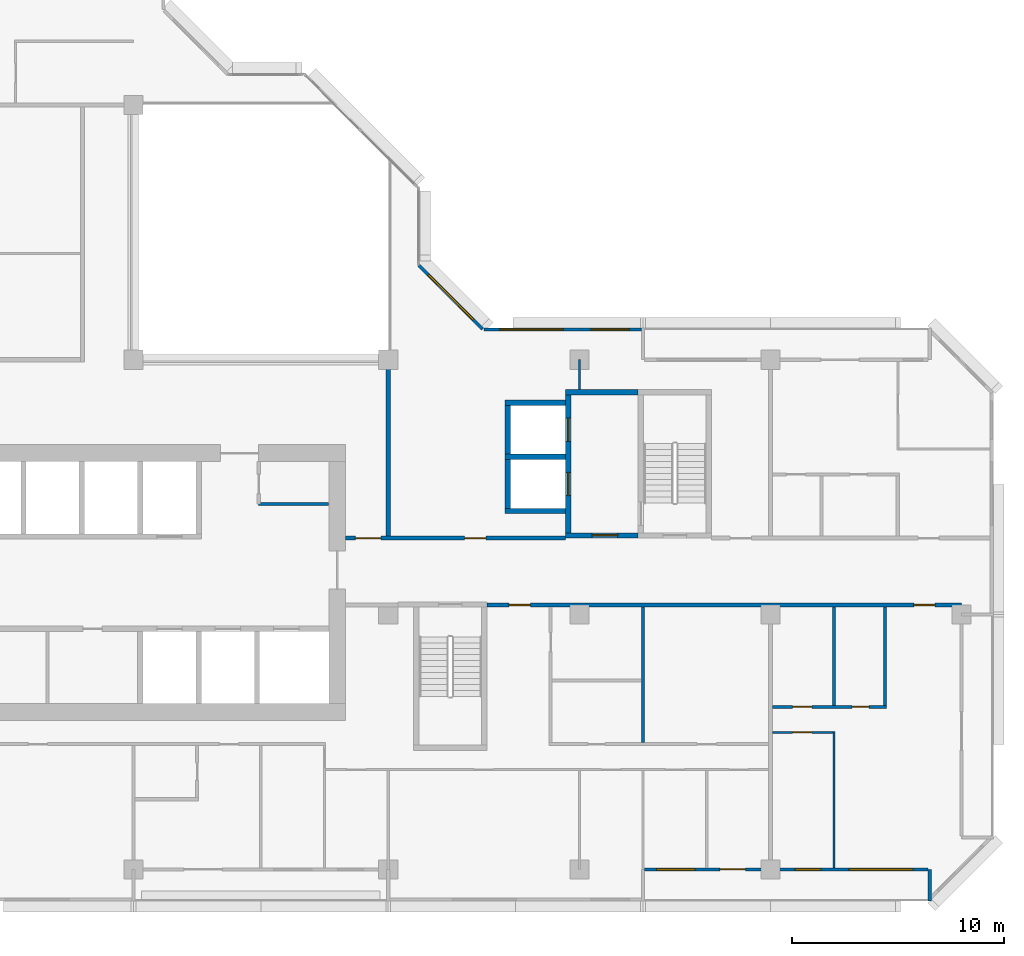
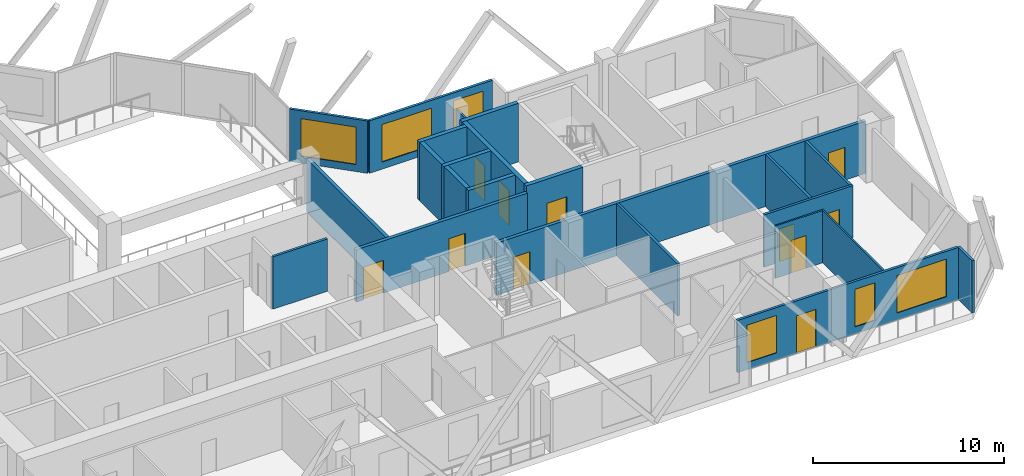
# One storey, part 7 of 14: 23 walls, 11 doors, 6 windows, 17 openings.
"""IFC4 building model written with IfcOpenShell, lengths in metres."""

from ifc_helpers import new_model, si_unit, direction, frame, frame_2d, origin, place, context, subcontext, project, spatial, rectangle, extrude, material, layer, layer_set, type_object, element, fill, save


model = new_model("IFC4")

# Units and contexts
model_context = context("Model", 3, precision=1e-05, world=origin(), true_north=direction((0.0, 1.0)))
body_context = subcontext(model_context, "Body", "Model", "MODEL_VIEW")
ifc_project = project(units=[si_unit("LENGTHUNIT", "METRE"), si_unit("AREAUNIT", "SQUARE_METRE"), si_unit("VOLUMEUNIT", "CUBIC_METRE"), si_unit("PLANEANGLEUNIT", "RADIAN"), si_unit("MASSUNIT", "GRAM", prefix="KILO")], contexts=[model_context])

# Site, building, storey
site_placement = place(None, origin())
site = spatial("IfcSite", under=ifc_project, at=site_placement, CompositionType="ELEMENT")
building_placement = place(site_placement, origin())
building = spatial("IfcBuilding", under=site, at=building_placement, Name="Chenar Terraces", CompositionType="ELEMENT")
storey_placement = place(building_placement, frame((0.0, 0.0, 157.39990234375)))
storey = spatial("IfcBuildingStorey", under=building, at=storey_placement, Name="L35", CompositionType="ELEMENT", Elevation=157.39990234375)

# Wall
ifc_material_1 = material(Name="Gypsum board on steel studs", Category="steel")
ifc_layer_1 = layer(ifc_material_1, 0.14990234375)
ifc_layer_set_1 = layer_set([ifc_layer_1], Name="Gypsum board on steel studs")
wall_type_1 = type_object("IfcWallType", Name="Core partition 150 gypsum board", PredefinedType="PARTITIONING", material=ifc_layer_set_1)
wall_1_placement = place(storey_placement, frame((29.89990234375, 17.199951171875, 0.0), z_axis=(0.0, 0.0, 1.0), x_axis=(1.0, 0.0, 0.0)))
element("IfcWall", 1, at=wall_1_placement, inside=storey, type_object=wall_type_1, Name="Core partition CP1 vestibule room south wall", PredefinedType="PARTITIONING", context=body_context, shape_type="SweptSolid", body=[
    extrude(rectangle(XDim=3.300048828125, YDim=0.14990234375, at=frame_2d((1.64990234375, 0.0))), origin(), (0.0, 0.0, 1.0), 3.35009765625),
])

# Wall, opening, door
ifc_material_2 = material(Name="Concrete C60/75", Category="concrete")
ifc_layer_2 = layer(ifc_material_2, 0.25)
ifc_layer_set_2 = layer_set([ifc_layer_2], Name="Concrete C60/75")
wall_type_2 = type_object("IfcWallType", Name="Core wall 250 Concrete C60/75", PredefinedType="SHEAR", material=ifc_layer_set_2)
wall_2_placement = place(storey_placement, frame((44.35009765625, 15.72509765625, 0.0), z_axis=(0.0, 0.0, 1.0), x_axis=(1.0, 0.0, 0.0)))
wall_2 = element("IfcWall", 2, at=wall_2_placement, inside=storey, type_object=wall_type_2, Name="Core wall F3_LS L35", PredefinedType="SHEAR", context=body_context, shape_type="SweptSolid", body=[
    extrude(rectangle(XDim=3.4248046875, YDim=0.25, at=frame_2d((1.71240234375, 0.0))), origin(), (0.0, 0.0, 1.0), 3.75),
])
opening_1_placement = place(wall_2_placement, frame((1.25, 0.0, 0.0)))
opening_1 = element("IfcOpeningElement", 3, at=opening_1_placement, cuts=wall_2, Name="Opening DL35-C10", PredefinedType="OPENING", context=body_context, shape_type="SweptSolid", body=[
    extrude(rectangle(XDim=1.199951171875, YDim=2.199951171875, at=frame_2d((0.60009765625, 1.10009765625))), frame((0.0, 0.135009765625, 0.0), z_axis=(0.0, -1.0, 0.0), x_axis=(1.0, 0.0, 0.0)), (0.0, 0.0, 1.0), 0.27001953125),
])
ifc_material_3 = material(Name="Steel-framed fire-resisting door leaf", Category="steel")
door_type_1 = type_object("IfcDoorType", Name="Lobby fire door FD60 1200 x 2200", OperationType="SINGLE_SWING_LEFT", PredefinedType="DOOR", material=ifc_material_3)
door_1_placement = place(opening_1_placement, origin())
door_1 = element("IfcDoor", 4, at=door_1_placement, inside=storey, type_object=door_type_1, Name="Core door DL35-C10", OperationType="SINGLE_SWING_RIGHT", OverallHeight=2.199951171875, OverallWidth=1.199951171875, PredefinedType="DOOR", context=body_context, shape_type="SweptSolid", body=[
    extrude(rectangle(XDim=1.199951171875, YDim=2.199951171875, at=frame_2d((0.60009765625, 1.10009765625))), frame((0.0, 0.02490234375, 0.0), z_axis=(0.0, -1.0, 0.0), x_axis=(1.0, 0.0, 0.0)), (0.0, 0.0, 1.0), 0.050048828125),
])
fill(opening_1, door_1)

# Wall
wall_3_placement = place(storey_placement, frame((44.35009765625, 22.47509765625, 0.0), z_axis=(0.0, 0.0, 1.0), x_axis=(1.0, 0.0, 0.0)))
element("IfcWall", 5, at=wall_3_placement, inside=storey, type_object=wall_type_2, Name="Core wall F3_LN L35", PredefinedType="SHEAR", context=body_context, shape_type="SweptSolid", body=[
    extrude(rectangle(XDim=3.4248046875, YDim=0.25, at=frame_2d((1.71240234375, 0.0))), origin(), (0.0, 0.0, 1.0), 3.75),
])

# Wall, openings, doors
wall_4_placement = place(storey_placement, frame((44.47509765625, 15.85009765625, 0.0), z_axis=(0.0, 0.0, 1.0), x_axis=(0.0, 1.0, 0.0)))
wall_4 = element("IfcWall", 6, at=wall_4_placement, inside=storey, type_object=wall_type_2, Name="Core wall F3_LW L35", PredefinedType="SHEAR", context=body_context, shape_type="SweptSolid", body=[
    extrude(rectangle(XDim=6.5, YDim=0.25, at=frame_2d((3.25, 0.0))), origin(), (0.0, 0.0, 1.0), 3.75),
])
opening_2_placement = place(wall_4_placement, frame((1.75, 0.0, 0.0)))
opening_2 = element("IfcOpeningElement", 7, at=opening_2_placement, cuts=wall_4, Name="Opening DL35-LD8", PredefinedType="OPENING", context=body_context, shape_type="SweptSolid", body=[
    extrude(rectangle(XDim=1.10009765625, YDim=2.199951171875, at=frame_2d((0.550048828125, 1.10009765625))), frame((0.0, 0.135009765625, 0.0), z_axis=(0.0, -1.0, 0.0), x_axis=(1.0, 0.0, 0.0)), (0.0, 0.0, 1.0), 0.27001953125),
])
opening_3_placement = place(wall_4_placement, frame((4.300048828125, 0.0, 0.0)))
opening_3 = element("IfcOpeningElement", 8, at=opening_3_placement, cuts=wall_4, Name="Opening DL35-LD9", PredefinedType="OPENING", context=body_context, shape_type="SweptSolid", body=[
    extrude(rectangle(XDim=1.10009765625, YDim=2.199951171875, at=frame_2d((0.550048828125, 1.10009765625))), frame((0.0, 0.135009765625, 0.0), z_axis=(0.0, -1.0, 0.0), x_axis=(1.0, 0.0, 0.0)), (0.0, 0.0, 1.0), 0.27001953125),
])
ifc_material_4 = material(Name="Stainless steel", Category="steel")
door_type_2 = type_object("IfcDoorType", Name="Lift landing door 1100 x 2200 sliding", OperationType="DOUBLE_DOOR_SLIDING", PredefinedType="DOOR", material=ifc_material_4)
door_2_placement = place(opening_2_placement, origin())
door_2 = element("IfcDoor", 9, at=door_2_placement, inside=storey, type_object=door_type_2, Name="Landing door F3", OperationType="DOUBLE_DOOR_SLIDING", OverallHeight=2.199951171875, OverallWidth=1.10009765625, PredefinedType="DOOR", context=body_context, shape_type="SweptSolid", body=[
    extrude(rectangle(XDim=1.10009765625, YDim=2.199951171875, at=frame_2d((0.550048828125, 1.10009765625))), frame((0.0, 0.02490234375, 0.0), z_axis=(0.0, -1.0, 0.0), x_axis=(1.0, 0.0, 0.0)), (0.0, 0.0, 1.0), 0.050048828125),
])
fill(opening_2, door_2)
door_3_placement = place(opening_3_placement, origin())
door_3 = element("IfcDoor", 10, at=door_3_placement, inside=storey, type_object=door_type_2, Name="Landing door F4", OperationType="DOUBLE_DOOR_SLIDING", OverallHeight=2.199951171875, OverallWidth=1.10009765625, PredefinedType="DOOR", context=body_context, shape_type="SweptSolid", body=[
    extrude(rectangle(XDim=1.10009765625, YDim=2.199951171875, at=frame_2d((0.550048828125, 1.10009765625))), frame((0.0, 0.02490234375, 0.0), z_axis=(0.0, -1.0, 0.0), x_axis=(1.0, 0.0, 0.0)), (0.0, 0.0, 1.0), 0.050048828125),
])
fill(opening_3, door_3)

# Walls
for number, where, z_axis, x_axis, name in (
    (11, (41.5, 16.875, 0.0), (0.0, 0.0, 1.0), (1.0, 0.0, 0.0), "Core wall F3_SS L35"),
    (12, (41.5, 19.425048828125, 0.0), (0.0, 0.0, 1.0), (1.0, 0.0, 0.0), "Core wall F3_SM L35"),
    (13, (41.5, 21.97509765625, 0.0), (0.0, 0.0, 1.0), (1.0, 0.0, 0.0), "Core wall F4_SN L35"),
):
    element("IfcWall", number, at=place(storey_placement, frame(where, z_axis=z_axis, x_axis=x_axis)), inside=storey, type_object=wall_type_2, Name=name, PredefinedType="SHEAR", context=body_context, shape_type="SweptSolid", body=[
        extrude(rectangle(XDim=2.85009765625, YDim=0.25, at=frame_2d((1.425048828125, 0.0))), origin(), (0.0, 0.0, 1.0), 3.75),
    ])
for number, where, z_axis, x_axis, name in (
    (14, (41.625, 17.0, 0.0), (0.0, 0.0, 1.0), (0.0, 1.0, 0.0), "Core wall F3_SW L35"),
    (15, (41.625, 19.550048828125, 0.0), (0.0, 0.0, 1.0), (0.0, 1.0, 0.0), "Core wall F4_SW L35"),
):
    element("IfcWall", number, at=place(storey_placement, frame(where, z_axis=z_axis, x_axis=x_axis)), inside=storey, type_object=wall_type_2, Name=name, PredefinedType="SHEAR", context=body_context, shape_type="SweptSolid", body=[
        extrude(rectangle(XDim=2.300048828125, YDim=0.25, at=frame_2d((1.14990234375, 0.0))), origin(), (0.0, 0.0, 1.0), 3.75),
    ])

# Wall, openings, doors
ifc_material_5 = material(Name="Gypsum board on steel studs with fire boards", Category="steel")
ifc_layer_3 = layer(ifc_material_5, 0.199951171875)
ifc_layer_set_3 = layer_set([ifc_layer_3], Name="Gypsum board on steel studs with fire boards")
wall_type_3 = type_object("IfcWallType", Name="Corridor wall 200", PredefinedType="PARTITIONING", material=ifc_layer_set_3)
wall_5_placement = place(storey_placement, frame((34.0, 15.60009765625, 0.0), z_axis=(0.0, 0.0, 1.0), x_axis=(1.0, 0.0, 0.0)))
wall_5 = element("IfcWall", 16, at=wall_5_placement, inside=storey, type_object=wall_type_3, Name="Partition L35-060", PredefinedType="PARTITIONING", context=body_context, shape_type="SweptSolid", body=[
    extrude(rectangle(XDim=10.35009765625, YDim=0.199951171875, at=frame_2d((5.175048828125, 0.0))), origin(), (0.0, 0.0, 1.0), 3.35009765625),
])
opening_4_placement = place(wall_5_placement, frame((5.60009765625, 0.0, 0.0)))
opening_4 = element("IfcOpeningElement", 17, at=opening_4_placement, cuts=wall_5, Name="Opening DL35-3", PredefinedType="OPENING", context=body_context, shape_type="SweptSolid", body=[
    extrude(rectangle(XDim=1.0, YDim=2.10009765625, at=frame_2d((0.5, 1.050048828125))), frame((0.0, 0.10986328125, 0.0), z_axis=(0.0, -1.0, 0.0), x_axis=(1.0, 0.0, 0.0)), (0.0, 0.0, 1.0), 0.219970703125),
])
opening_5_placement = place(wall_5_placement, frame((0.449951171875, 0.0, 0.0)))
opening_5 = element("IfcOpeningElement", 18, at=opening_5_placement, cuts=wall_5, Name="Opening DL35-35", PredefinedType="OPENING", context=body_context, shape_type="SweptSolid", body=[
    extrude(rectangle(XDim=1.199951171875, YDim=2.10009765625, at=frame_2d((0.60009765625, 1.050048828125))), frame((0.0, 0.10986328125, 0.0), z_axis=(0.0, -1.0, 0.0), x_axis=(1.0, 0.0, 0.0)), (0.0, 0.0, 1.0), 0.219970703125),
])
ifc_material_6 = material(Name="Steel-framed fire-resisting door leaf", Category="steel")
door_type_3 = type_object("IfcDoorType", Name="Fire door FD60 1000 x 2100", OperationType="SINGLE_SWING_LEFT", PredefinedType="DOOR", material=ifc_material_6)
door_4_placement = place(opening_4_placement, origin())
door_4 = element("IfcDoor", 19, at=door_4_placement, inside=storey, type_object=door_type_3, Name="Door DL35-3", OperationType="SINGLE_SWING_RIGHT", OverallHeight=2.10009765625, OverallWidth=1.0, PredefinedType="DOOR", context=body_context, shape_type="SweptSolid", body=[
    extrude(rectangle(XDim=1.0, YDim=2.10009765625, at=frame_2d((0.5, 1.050048828125))), frame((0.0, 0.02490234375, 0.0), z_axis=(0.0, -1.0, 0.0), x_axis=(1.0, 0.0, 0.0)), (0.0, 0.0, 1.0), 0.050048828125),
])
fill(opening_4, door_4)
ifc_material_7 = material(Name="Steel-framed fire-resisting door leaf", Category="steel")
door_type_4 = type_object("IfcDoorType", Name="Fire door FD60 1200 x 2100", OperationType="SINGLE_SWING_LEFT", PredefinedType="DOOR", material=ifc_material_7)
door_5_placement = place(opening_5_placement, origin())
door_5 = element("IfcDoor", 20, at=door_5_placement, inside=storey, type_object=door_type_4, Name="Door DL35-35", OperationType="SINGLE_SWING_RIGHT", OverallHeight=2.10009765625, OverallWidth=1.199951171875, PredefinedType="DOOR", context=body_context, shape_type="SweptSolid", body=[
    extrude(rectangle(XDim=1.199951171875, YDim=2.10009765625, at=frame_2d((0.60009765625, 1.050048828125))), frame((0.0, 0.02490234375, 0.0), z_axis=(0.0, -1.0, 0.0), x_axis=(1.0, 0.0, 0.0)), (0.0, 0.0, 1.0), 0.050048828125),
])
fill(opening_5, door_5)

# Wall
wall_6_placement = place(storey_placement, frame((36.0, 15.699951171875, 0.0), z_axis=(0.0, 0.0, 1.0), x_axis=(0.0, 1.0, 0.0)))
element("IfcWall", 21, at=wall_6_placement, inside=storey, type_object=wall_type_3, Name="Partition L35-062", PredefinedType="PARTITIONING", context=body_context, shape_type="SweptSolid", body=[
    extrude(rectangle(XDim=8.300048828125, YDim=0.199951171875, at=frame_2d((4.14990234375, 0.0))), origin(), (0.0, 0.0, 1.0), 3.35009765625),
])

# Wall, openings, doors
wall_7_placement = place(storey_placement, frame((40.64990234375, 12.449951171875, 0.0), z_axis=(0.0, 0.0, 1.0), x_axis=(1.0, 0.0, 0.0)))
wall_7 = element("IfcWall", 22, at=wall_7_placement, inside=storey, type_object=wall_type_3, Name="Partition L35-063", PredefinedType="PARTITIONING", context=body_context, shape_type="SweptSolid", body=[
    extrude(rectangle(XDim=22.35009765625, YDim=0.199951171875, at=frame_2d((11.175048828125, 0.0))), origin(), (0.0, 0.0, 1.0), 3.35009765625),
])
opening_6_placement = place(wall_7_placement, frame((20.10009765625, 0.0, 0.0)))
opening_6 = element("IfcOpeningElement", 23, at=opening_6_placement, cuts=wall_7, Name="Opening DL35-11", PredefinedType="OPENING", context=body_context, shape_type="SweptSolid", body=[
    extrude(rectangle(XDim=1.0, YDim=2.10009765625, at=frame_2d((0.5, 1.050048828125))), frame((0.0, 0.10986328125, 0.0), z_axis=(0.0, -1.0, 0.0), x_axis=(1.0, 0.0, 0.0)), (0.0, 0.0, 1.0), 0.219970703125),
])
opening_7_placement = place(wall_7_placement, frame((1.050048828125, 0.0, 0.0)))
opening_7 = element("IfcOpeningElement", 24, at=opening_7_placement, cuts=wall_7, Name="Opening DL35-53", PredefinedType="OPENING", context=body_context, shape_type="SweptSolid", body=[
    extrude(rectangle(XDim=1.0, YDim=2.10009765625, at=frame_2d((0.5, 1.050048828125))), frame((0.0, 0.10986328125, 0.0), z_axis=(0.0, -1.0, 0.0), x_axis=(1.0, 0.0, 0.0)), (0.0, 0.0, 1.0), 0.219970703125),
])
ifc_material_8 = material(Name="Steel-framed fire-resisting door leaf", Category="steel")
door_type_5 = type_object("IfcDoorType", Name="Fire door FD30S 1000 x 2100", OperationType="SINGLE_SWING_LEFT", PredefinedType="DOOR", material=ifc_material_8)
door_6_placement = place(opening_6_placement, frame((1.0, 0.0, 0.0), z_axis=(0.0, 0.0, 1.0), x_axis=(-1.0, 0.0, 0.0)))
door_6 = element("IfcDoor", 25, at=door_6_placement, inside=storey, type_object=door_type_5, Name="Door DL35-11", OperationType="SINGLE_SWING_LEFT", OverallHeight=2.10009765625, OverallWidth=1.0, PredefinedType="DOOR", context=body_context, shape_type="SweptSolid", body=[
    extrude(rectangle(XDim=1.0, YDim=2.10009765625, at=frame_2d((0.5, 1.050048828125))), frame((0.0, 0.02490234375, 0.0), z_axis=(0.0, -1.0, 0.0), x_axis=(1.0, 0.0, 0.0)), (0.0, 0.0, 1.0), 0.050048828125),
])
fill(opening_6, door_6)
door_7_placement = place(opening_7_placement, origin())
door_7 = element("IfcDoor", 26, at=door_7_placement, inside=storey, type_object=door_type_5, Name="Door DL35-53", OperationType="SINGLE_SWING_LEFT", OverallHeight=2.10009765625, OverallWidth=1.0, PredefinedType="DOOR", context=body_context, shape_type="SweptSolid", body=[
    extrude(rectangle(XDim=1.0, YDim=2.10009765625, at=frame_2d((0.5, 1.050048828125))), frame((0.0, 0.02490234375, 0.0), z_axis=(0.0, -1.0, 0.0), x_axis=(1.0, 0.0, 0.0)), (0.0, 0.0, 1.0), 0.050048828125),
])
fill(opening_7, door_7)

# Wall, openings, windows
ifc_material_9 = material(Name="Aluminium framed glazing", Category="aluminium")
ifc_layer_4 = layer(ifc_material_9, 0.14990234375)
ifc_layer_set_4 = layer_set([ifc_layer_4], Name="Aluminium framed glazing")
wall_type_4 = type_object("IfcWallType", Name="Glazed flush facade wall 150", PredefinedType="SOLIDWALL", material=ifc_layer_set_4)
wall_8_placement = place(storey_placement, frame((47.925048828125, 25.425048828125, 0.0), z_axis=(0.0, 0.0, 1.0), x_axis=(-1.0, 0.0, 0.0)))
wall_8 = element("IfcWall", 27, at=wall_8_placement, inside=storey, type_object=wall_type_4, Name="Glazed flush facade wall", PredefinedType="SOLIDWALL", context=body_context, shape_type="SweptSolid", body=[
    extrude(rectangle(XDim=7.425048828125, YDim=0.14990234375, at=frame_2d((3.71240234375, 0.0))), origin(), (0.0, 0.0, 1.0), 3.35009765625),
])
opening_8_placement = place(wall_8_placement, frame((0.5625, 0.0, 0.449951171875)))
opening_8 = element("IfcOpeningElement", 28, at=opening_8_placement, cuts=wall_8, Name="Opening W180x240", PredefinedType="OPENING", context=body_context, shape_type="SweptSolid", body=[
    extrude(rectangle(XDim=1.800048828125, YDim=2.39990234375, at=frame_2d((0.89990234375, 1.199951171875))), frame((0.0, 0.0849609375, 0.0), z_axis=(0.0, -1.0, 0.0), x_axis=(1.0, 0.0, 0.0)), (0.0, 0.0, 1.0), 0.169921875),
])
opening_9_placement = place(wall_8_placement, frame((3.675048828125, 0.0, 0.449951171875)))
opening_9 = element("IfcOpeningElement", 29, at=opening_9_placement, cuts=wall_8, Name="Opening W300x240", PredefinedType="OPENING", context=body_context, shape_type="SweptSolid", body=[
    extrude(rectangle(XDim=3.0, YDim=2.39990234375, at=frame_2d((1.5, 1.199951171875))), frame((0.0, 0.0849609375, 0.0), z_axis=(0.0, -1.0, 0.0), x_axis=(1.0, 0.0, 0.0)), (0.0, 0.0, 1.0), 0.169921875),
])
ifc_material_10 = material(Name="Low emissivity double glazing, aluminium frame", Category="aluminium")
window_type_1 = type_object("IfcWindowType", Name="Fixed light 1800 x 2400", PartitioningType="SINGLE_PANEL", PredefinedType="WINDOW", material=ifc_material_10)
window_1_placement = place(opening_8_placement, origin())
window_1 = element("IfcWindow", 30, at=window_1_placement, inside=storey, type_object=window_type_1, Name="Window", OverallHeight=2.39990234375, OverallWidth=1.800048828125, PartitioningType="SINGLE_PANEL", PredefinedType="WINDOW", context=body_context, shape_type="SweptSolid", body=[
    extrude(rectangle(XDim=1.800048828125, YDim=2.39990234375, at=frame_2d((0.89990234375, 1.199951171875))), frame((0.0, 0.030029296875, 0.0), z_axis=(0.0, -1.0, 0.0), x_axis=(1.0, 0.0, 0.0)), (0.0, 0.0, 1.0), 0.06005859375),
])
fill(opening_8, window_1)
ifc_material_11 = material(Name="Low emissivity double glazing, aluminium frame", Category="aluminium")
window_type_2 = type_object("IfcWindowType", Name="Fixed light 3000 x 2400", PartitioningType="SINGLE_PANEL", PredefinedType="WINDOW", material=ifc_material_11)
window_2_placement = place(opening_9_placement, origin())
window_2 = element("IfcWindow", 31, at=window_2_placement, inside=storey, type_object=window_type_2, Name="Window", OverallHeight=2.39990234375, OverallWidth=3.0, PartitioningType="SINGLE_PANEL", PredefinedType="WINDOW", context=body_context, shape_type="SweptSolid", body=[
    extrude(rectangle(XDim=3.0, YDim=2.39990234375, at=frame_2d((1.5, 1.199951171875))), frame((0.0, 0.030029296875, 0.0), z_axis=(0.0, -1.0, 0.0), x_axis=(1.0, 0.0, 0.0)), (0.0, 0.0, 1.0), 0.06005859375),
])
fill(opening_9, window_2)

# Wall, openings, windows, door
ifc_material_12 = material(Name="Aluminium framed glazing", Category="aluminium")
ifc_layer_5 = layer(ifc_material_12, 0.14990234375)
ifc_layer_set_5 = layer_set([ifc_layer_5], Name="Aluminium framed glazing")
wall_type_5 = type_object("IfcWallType", Name="Glazed loggia back wall 150", PredefinedType="SOLIDWALL", material=ifc_layer_set_5)
wall_9_placement = place(storey_placement, frame((48.074951171875, 0.0, 0.0), z_axis=(0.0, 0.0, 1.0), x_axis=(1.0, 0.0, 0.0)))
wall_9 = element("IfcWall", 32, at=wall_9_placement, inside=storey, type_object=wall_type_5, Name="Glazed loggia back wall", PredefinedType="SOLIDWALL", context=body_context, shape_type="SweptSolid", body=[
    extrude(rectangle(XDim=13.35009765625, YDim=0.14990234375, at=frame_2d((6.675048828125, 0.0))), origin(), (0.0, 0.0, 1.0), 3.35009765625),
])
opening_10_placement = place(wall_9_placement, frame((0.5625, 0.0, 0.449951171875)))
opening_10 = element("IfcOpeningElement", 33, at=opening_10_placement, cuts=wall_9, Name="Opening W180x240", PredefinedType="OPENING", context=body_context, shape_type="SweptSolid", body=[
    extrude(rectangle(XDim=1.800048828125, YDim=2.39990234375, at=frame_2d((0.89990234375, 1.199951171875))), frame((0.0, 0.0849609375, 0.0), z_axis=(0.0, -1.0, 0.0), x_axis=(1.0, 0.0, 0.0)), (0.0, 0.0, 1.0), 0.169921875),
])
opening_11_placement = place(wall_9_placement, frame((3.550048828125, 0.0, 0.0)))
opening_11 = element("IfcOpeningElement", 34, at=opening_11_placement, cuts=wall_9, Name="Opening DL35-G7", PredefinedType="OPENING", context=body_context, shape_type="SweptSolid", body=[
    extrude(rectangle(XDim=1.199951171875, YDim=2.39990234375, at=frame_2d((0.60009765625, 1.199951171875))), frame((0.0, 0.0849609375, 0.0), z_axis=(0.0, -1.0, 0.0), x_axis=(1.0, 0.0, 0.0)), (0.0, 0.0, 1.0), 0.169921875),
])
opening_12_placement = place(wall_9_placement, frame((7.10009765625, 0.0, 0.449951171875)))
opening_12 = element("IfcOpeningElement", 35, at=opening_12_placement, cuts=wall_9, Name="Opening W120x240", PredefinedType="OPENING", context=body_context, shape_type="SweptSolid", body=[
    extrude(rectangle(XDim=1.199951171875, YDim=2.39990234375, at=frame_2d((0.60009765625, 1.199951171875))), frame((0.0, 0.0849609375, 0.0), z_axis=(0.0, -1.0, 0.0), x_axis=(1.0, 0.0, 0.0)), (0.0, 0.0, 1.0), 0.169921875),
])
opening_13_placement = place(wall_9_placement, frame((9.637451171875, 0.0, 0.449951171875)))
opening_13 = element("IfcOpeningElement", 36, at=opening_13_placement, cuts=wall_9, Name="Opening W300x240", PredefinedType="OPENING", context=body_context, shape_type="SweptSolid", body=[
    extrude(rectangle(XDim=3.0, YDim=2.39990234375, at=frame_2d((1.5, 1.199951171875))), frame((0.0, 0.0849609375, 0.0), z_axis=(0.0, -1.0, 0.0), x_axis=(1.0, 0.0, 0.0)), (0.0, 0.0, 1.0), 0.169921875),
])
ifc_material_13 = material(Name="Low emissivity double glazing, aluminium frame", Category="aluminium")
window_type_3 = type_object("IfcWindowType", Name="Fixed light 1200 x 2400", PartitioningType="SINGLE_PANEL", PredefinedType="WINDOW", material=ifc_material_13)
window_3_placement = place(opening_12_placement, origin())
window_3 = element("IfcWindow", 37, at=window_3_placement, inside=storey, type_object=window_type_3, Name="Window", OverallHeight=2.39990234375, OverallWidth=1.199951171875, PartitioningType="SINGLE_PANEL", PredefinedType="WINDOW", context=body_context, shape_type="SweptSolid", body=[
    extrude(rectangle(XDim=1.199951171875, YDim=2.39990234375, at=frame_2d((0.60009765625, 1.199951171875))), frame((0.0, 0.030029296875, 0.0), z_axis=(0.0, -1.0, 0.0), x_axis=(1.0, 0.0, 0.0)), (0.0, 0.0, 1.0), 0.06005859375),
])
fill(opening_12, window_3)
window_4_placement = place(opening_10_placement, origin())
window_4 = element("IfcWindow", 38, at=window_4_placement, inside=storey, type_object=window_type_1, Name="Window", OverallHeight=2.39990234375, OverallWidth=1.800048828125, PartitioningType="SINGLE_PANEL", PredefinedType="WINDOW", context=body_context, shape_type="SweptSolid", body=[
    extrude(rectangle(XDim=1.800048828125, YDim=2.39990234375, at=frame_2d((0.89990234375, 1.199951171875))), frame((0.0, 0.030029296875, 0.0), z_axis=(0.0, -1.0, 0.0), x_axis=(1.0, 0.0, 0.0)), (0.0, 0.0, 1.0), 0.06005859375),
])
fill(opening_10, window_4)
window_5_placement = place(opening_13_placement, origin())
window_5 = element("IfcWindow", 39, at=window_5_placement, inside=storey, type_object=window_type_2, Name="Window", OverallHeight=2.39990234375, OverallWidth=3.0, PartitioningType="SINGLE_PANEL", PredefinedType="WINDOW", context=body_context, shape_type="SweptSolid", body=[
    extrude(rectangle(XDim=3.0, YDim=2.39990234375, at=frame_2d((1.5, 1.199951171875))), frame((0.0, 0.030029296875, 0.0), z_axis=(0.0, -1.0, 0.0), x_axis=(1.0, 0.0, 0.0)), (0.0, 0.0, 1.0), 0.06005859375),
])
fill(opening_13, window_5)
ifc_material_14 = material(Name="Low emissivity double glazing, aluminium frame", Category="aluminium")
door_type_6 = type_object("IfcDoorType", Name="Loggia glazed double door 1200 x 2400", OperationType="DOUBLE_DOOR_SINGLE_SWING", PredefinedType="DOOR", material=ifc_material_14)
door_8_placement = place(opening_11_placement, frame((1.199951171875, 0.0, 0.0), z_axis=(0.0, 0.0, 1.0), x_axis=(-1.0, 0.0, 0.0)))
door_8 = element("IfcDoor", 40, at=door_8_placement, inside=storey, type_object=door_type_6, Name="Loggia glazed door", OperationType="DOUBLE_DOOR_SINGLE_SWING", OverallHeight=2.39990234375, OverallWidth=1.199951171875, PredefinedType="DOOR", context=body_context, shape_type="SweptSolid", body=[
    extrude(rectangle(XDim=1.199951171875, YDim=2.39990234375, at=frame_2d((0.60009765625, 1.199951171875))), frame((0.0, 0.02490234375, 0.0), z_axis=(0.0, -1.0, 0.0), x_axis=(1.0, 0.0, 0.0)), (0.0, 0.0, 1.0), 0.050048828125),
])
fill(opening_11, door_8)

# Wall
ifc_material_15 = material(Name="Gypsum board on steel studs", Category="steel")
ifc_layer_6 = layer(ifc_material_15, 0.10009765625)
ifc_layer_set_6 = layer_set([ifc_layer_6], Name="Gypsum board on steel studs")
wall_type_6 = type_object("IfcWallType", Name="Gypsum partition 100", PredefinedType="PARTITIONING", material=ifc_layer_set_6)
wall_10_placement = place(storey_placement, frame((45.0, 22.60009765625, 0.0), z_axis=(0.0, 0.0, 1.0), x_axis=(0.0, 1.0, 0.0)))
element("IfcWall", 41, at=wall_10_placement, inside=storey, type_object=wall_type_6, Name="Partition L35-068", PredefinedType="PARTITIONING", context=body_context, shape_type="SweptSolid", body=[
    extrude(rectangle(XDim=1.39990234375, YDim=0.10009765625, at=frame_2d((0.699951171875, 0.0))), origin(), (0.0, 0.0, 1.0), 3.35009765625),
])

# Wall, opening, door
wall_11_placement = place(storey_placement, frame((54.10009765625, 6.449951171875, 0.0), z_axis=(0.0, 0.0, 1.0), x_axis=(1.0, 0.0, 0.0)))
wall_11 = element("IfcWall", 42, at=wall_11_placement, inside=storey, type_object=wall_type_6, Name="Partition L35-075", PredefinedType="PARTITIONING", context=body_context, shape_type="SweptSolid", body=[
    extrude(rectangle(XDim=2.849853515625, YDim=0.10009765625, at=frame_2d((1.4248046875, 0.0))), origin(), (0.0, 0.0, 1.0), 3.35009765625),
])
opening_14_placement = place(wall_11_placement, frame((0.949951171875, 0.0, 0.0)))
opening_14 = element("IfcOpeningElement", 43, at=opening_14_placement, cuts=wall_11, Name="Opening DL35-9", PredefinedType="OPENING", context=body_context, shape_type="SweptSolid", body=[
    extrude(rectangle(XDim=0.89990234375, YDim=2.10009765625, at=frame_2d((0.449951171875, 1.050048828125))), frame((0.0, 0.06005859375, 0.0), z_axis=(0.0, -1.0, 0.0), x_axis=(1.0, 0.0, 0.0)), (0.0, 0.0, 1.0), 0.1201171875),
])
ifc_material_16 = material(Name="Veneered timber door leaf", Category="wood")
door_type_7 = type_object("IfcDoorType", Name="Door 900 x 2100", OperationType="SINGLE_SWING_LEFT", PredefinedType="DOOR", material=ifc_material_16)
door_9_placement = place(opening_14_placement, frame((0.89990234375, 0.0, 0.0), z_axis=(0.0, 0.0, 1.0), x_axis=(-1.0, 0.0, 0.0)))
door_9 = element("IfcDoor", 44, at=door_9_placement, inside=storey, type_object=door_type_7, Name="Door DL35-9", OperationType="SINGLE_SWING_LEFT", OverallHeight=2.10009765625, OverallWidth=0.89990234375, PredefinedType="DOOR", context=body_context, shape_type="SweptSolid", body=[
    extrude(rectangle(XDim=0.89990234375, YDim=2.10009765625, at=frame_2d((0.449951171875, 1.050048828125))), frame((0.0, 0.02490234375, 0.0), z_axis=(0.0, -1.0, 0.0), x_axis=(1.0, 0.0, 0.0)), (0.0, 0.0, 1.0), 0.050048828125),
])
fill(opening_14, door_9)

# Walls
wall_12_placement = place(storey_placement, frame((57.0, 0.073974609375, 0.0), z_axis=(0.0, 0.0, 1.0), x_axis=(0.0, 1.0, 0.0)))
element("IfcWall", 45, at=wall_12_placement, inside=storey, type_object=wall_type_6, Name="Partition L35-079", PredefinedType="PARTITIONING", context=body_context, shape_type="SweptSolid", body=[
    extrude(rectangle(XDim=6.426025390625, YDim=0.10009765625, at=frame_2d((3.212890625, 0.0))), origin(), (0.0, 0.0, 1.0), 3.35009765625),
])
ifc_material_17 = material(Name="Terracotta cladding on insulated backing", Category="masonry")
ifc_layer_7 = layer(ifc_material_17, 0.14990234375)
ifc_layer_set_7 = layer_set([ifc_layer_7], Name="Terracotta cladding on insulated backing")
wall_type_7 = type_object("IfcWallType", Name="Loggia return wall 150", PredefinedType="SOLIDWALL", material=ifc_layer_set_7)
wall_13_placement = place(storey_placement, frame((61.5, -1.5, 0.0), z_axis=(0.0, 0.0, 1.0), x_axis=(0.0, 1.0, 0.0)))
element("IfcWall", 46, at=wall_13_placement, inside=storey, type_object=wall_type_7, Name="Loggia return wall", PredefinedType="SOLIDWALL", context=body_context, shape_type="SweptSolid", body=[
    extrude(rectangle(XDim=1.5, YDim=0.14990234375, at=frame_2d((0.75, 0.0))), origin(), (0.0, 0.0, 1.0), 3.35009765625),
])

# Wall, opening, window
ifc_material_18 = material(Name="Terracotta cladding on insulated backing", Category="masonry")
ifc_layer_8 = layer(ifc_material_18, 0.14990234375)
ifc_layer_set_8 = layer_set([ifc_layer_8], Name="Terracotta cladding on insulated backing")
wall_type_8 = type_object("IfcWallType", Name="Terracotta rainscreen wall 150", PredefinedType="SOLIDWALL", material=ifc_layer_set_8)
wall_14_placement = place(storey_placement, frame((40.447021484375, 25.447021484375, 0.0), z_axis=(0.0, 0.0, 1.0), x_axis=(-0.707106781187, 0.707106781187, 0.0)))
wall_14 = element("IfcWall", 47, at=wall_14_placement, inside=storey, type_object=wall_type_8, Name="Terracotta rainscreen wall", PredefinedType="SOLIDWALL", context=body_context, shape_type="SweptSolid", body=[
    extrude(rectangle(XDim=4.24267578125, YDim=0.14990234375, at=frame_2d((2.121337890625, 0.0))), origin(), (0.0, 0.0, 1.0), 3.35009765625),
])
opening_15_placement = place(wall_14_placement, frame((0.621337890625, 0.0, 0.449951171875)))
opening_15 = element("IfcOpeningElement", 48, at=opening_15_placement, cuts=wall_14, Name="Opening W300x240", PredefinedType="OPENING", context=body_context, shape_type="SweptSolid", body=[
    extrude(rectangle(XDim=3.0, YDim=2.39990234375, at=frame_2d((1.5, 1.199951171875))), frame((0.0, 0.0849609375, 0.0), z_axis=(0.0, -1.0, 0.0), x_axis=(1.0, 0.0, 0.0)), (0.0, 0.0, 1.0), 0.169921875),
])
window_6_placement = place(opening_15_placement, origin())
window_6 = element("IfcWindow", 49, at=window_6_placement, inside=storey, type_object=window_type_2, Name="Window", OverallHeight=2.39990234375, OverallWidth=3.0, PartitioningType="SINGLE_PANEL", PredefinedType="WINDOW", context=body_context, shape_type="SweptSolid", body=[
    extrude(rectangle(XDim=3.0, YDim=2.39990234375, at=frame_2d((1.5, 1.199951171875))), frame((0.0, 0.030029296875, 0.0), z_axis=(0.0, -1.0, 0.0), x_axis=(1.0, 0.0, 0.0)), (0.0, 0.0, 1.0), 0.06005859375),
])
fill(opening_15, window_6)

# Wall
ifc_material_19 = material(Name="Moisture-resistant gypsum board on steel studs", Category="steel")
ifc_layer_9 = layer(ifc_material_19, 0.14990234375)
ifc_layer_set_9 = layer_set([ifc_layer_9], Name="Moisture-resistant gypsum board on steel studs")
wall_type_9 = type_object("IfcWallType", Name="Wet-room partition 150", PredefinedType="PARTITIONING", material=ifc_layer_set_9)
wall_15_placement = place(storey_placement, frame((48.0, 5.97509765625, 0.0), z_axis=(0.0, 0.0, 1.0), x_axis=(0.0, 1.0, 0.0)))
element("IfcWall", 50, at=wall_15_placement, inside=storey, type_object=wall_type_9, Name="Partition L35-070", PredefinedType="PARTITIONING", context=body_context, shape_type="SweptSolid", body=[
    extrude(rectangle(XDim=6.375, YDim=0.14990234375, at=frame_2d((3.1875, 0.0))), origin(), (0.0, 0.0, 1.0), 3.35009765625),
])

# Wall, openings, doors
wall_16_placement = place(storey_placement, frame((54.10009765625, 7.64990234375, 0.0), z_axis=(0.0, 0.0, 1.0), x_axis=(1.0, 0.0, 0.0)))
wall_16 = element("IfcWall", 51, at=wall_16_placement, inside=storey, type_object=wall_type_9, Name="Partition L35-076", PredefinedType="PARTITIONING", context=body_context, shape_type="SweptSolid", body=[
    extrude(rectangle(XDim=5.375, YDim=0.14990234375, at=frame_2d((2.6875, 0.0))), origin(), (0.0, 0.0, 1.0), 3.35009765625),
])
opening_16_placement = place(wall_16_placement, frame((3.75, 0.0, 0.0)))
opening_16 = element("IfcOpeningElement", 52, at=opening_16_placement, cuts=wall_16, Name="Opening DL35-8", PredefinedType="OPENING", context=body_context, shape_type="SweptSolid", body=[
    extrude(rectangle(XDim=0.800048828125, YDim=2.10009765625, at=frame_2d((0.39990234375, 1.050048828125))), frame((0.0, 0.0849609375, 0.0), z_axis=(0.0, -1.0, 0.0), x_axis=(1.0, 0.0, 0.0)), (0.0, 0.0, 1.0), 0.169921875),
])
opening_17_placement = place(wall_16_placement, frame((0.949951171875, 0.0, 0.0)))
opening_17 = element("IfcOpeningElement", 53, at=opening_17_placement, cuts=wall_16, Name="Opening DL35-10", PredefinedType="OPENING", context=body_context, shape_type="SweptSolid", body=[
    extrude(rectangle(XDim=0.89990234375, YDim=2.10009765625, at=frame_2d((0.449951171875, 1.050048828125))), frame((0.0, 0.0849609375, 0.0), z_axis=(0.0, -1.0, 0.0), x_axis=(1.0, 0.0, 0.0)), (0.0, 0.0, 1.0), 0.169921875),
])
ifc_material_20 = material(Name="Veneered timber door leaf", Category="wood")
door_type_8 = type_object("IfcDoorType", Name="Door 800 x 2100", OperationType="SINGLE_SWING_LEFT", PredefinedType="DOOR", material=ifc_material_20)
door_10_placement = place(opening_16_placement, origin())
door_10 = element("IfcDoor", 54, at=door_10_placement, inside=storey, type_object=door_type_8, Name="Door DL35-8", OperationType="SINGLE_SWING_RIGHT", OverallHeight=2.10009765625, OverallWidth=0.800048828125, PredefinedType="DOOR", context=body_context, shape_type="SweptSolid", body=[
    extrude(rectangle(XDim=0.800048828125, YDim=2.10009765625, at=frame_2d((0.39990234375, 1.050048828125))), frame((0.0, 0.02490234375, 0.0), z_axis=(0.0, -1.0, 0.0), x_axis=(1.0, 0.0, 0.0)), (0.0, 0.0, 1.0), 0.050048828125),
])
fill(opening_16, door_10)
door_11_placement = place(opening_17_placement, origin())
door_11 = element("IfcDoor", 55, at=door_11_placement, inside=storey, type_object=door_type_7, Name="Door DL35-10", OperationType="SINGLE_SWING_RIGHT", OverallHeight=2.10009765625, OverallWidth=0.89990234375, PredefinedType="DOOR", context=body_context, shape_type="SweptSolid", body=[
    extrude(rectangle(XDim=0.89990234375, YDim=2.10009765625, at=frame_2d((0.449951171875, 1.050048828125))), frame((0.0, 0.02490234375, 0.0), z_axis=(0.0, -1.0, 0.0), x_axis=(1.0, 0.0, 0.0)), (0.0, 0.0, 1.0), 0.050048828125),
])
fill(opening_17, door_11)

# Walls
for number, where, z_axis, x_axis, name in (
    (56, (57.0, 7.72509765625, 0.0), (0.0, 0.0, 1.0), (0.0, 1.0, 0.0), "Partition L35-080"),
    (57, (59.39990234375, 7.72509765625, 0.0), (0.0, 0.0, 1.0), (0.0, 1.0, 0.0), "Partition L35-081"),
):
    element("IfcWall", number, at=place(storey_placement, frame(where, z_axis=z_axis, x_axis=x_axis)), inside=storey, type_object=wall_type_9, Name=name, PredefinedType="PARTITIONING", context=body_context, shape_type="SweptSolid", body=[
        extrude(rectangle(XDim=4.625, YDim=0.14990234375, at=frame_2d((2.3125, 0.0))), origin(), (0.0, 0.0, 1.0), 3.35009765625),
    ])

save(model, "model.ifc")
